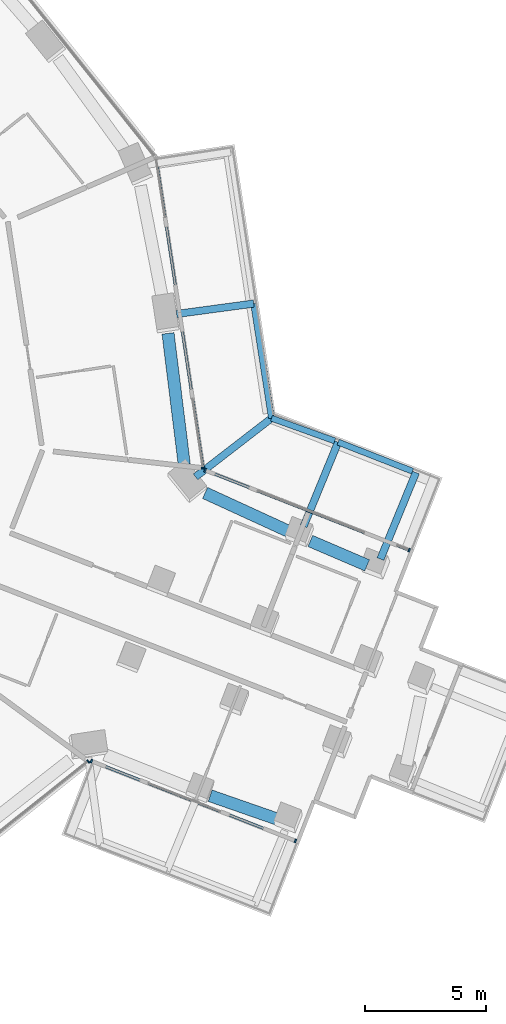
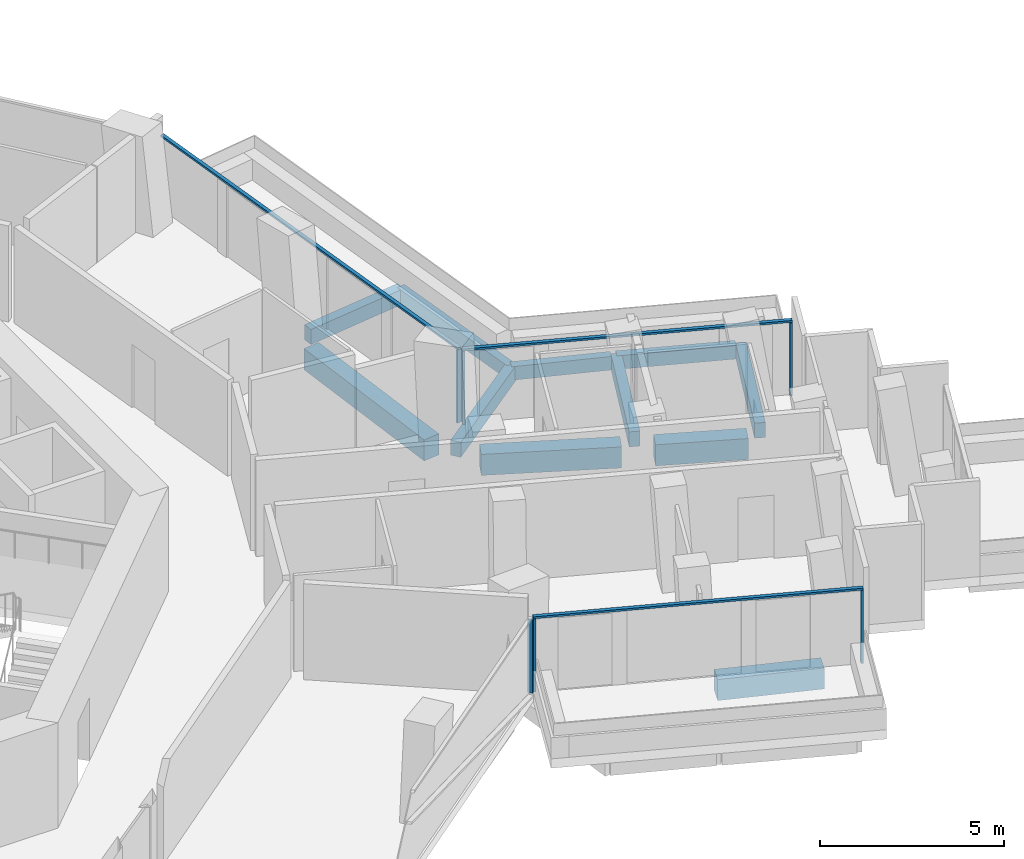
# One storey, part 6 of 28: 11 beams, 9 members, 4 elements without a shape of their own.
"""IFC4 building model written with IfcOpenShell, lengths in metres."""

from ifc_helpers import new_model, si_unit, direction, frame, origin, origin_2d, place, context, subcontext, project, spatial, rectangle, extrude, material, layer, layer_set, material_profile, profile_set, type_object, element, aggregate, save


model = new_model("IFC4")

# Units and contexts
model_context = context("Model", 3, precision=1e-05, world=origin(), true_north=direction((0.0, 1.0)))
body_context = subcontext(model_context, "Body", "Model", "MODEL_VIEW")
ifc_project = project(units=[si_unit("LENGTHUNIT", "METRE"), si_unit("AREAUNIT", "SQUARE_METRE"), si_unit("VOLUMEUNIT", "CUBIC_METRE"), si_unit("PLANEANGLEUNIT", "RADIAN"), si_unit("MASSUNIT", "GRAM", prefix="KILO")], contexts=[model_context])

# Site, building, storey
site_placement = place(None, origin())
site = spatial("IfcSite", under=ifc_project, at=site_placement, CompositionType="ELEMENT")
building_placement = place(site_placement, origin())
building = spatial("IfcBuilding", under=site, at=building_placement, Name="Verdalira Terraces Hotel", CompositionType="ELEMENT")
storey_placement = place(building_placement, frame((0.0, 0.0, 68.0)))
storey = spatial("IfcBuildingStorey", under=building, at=storey_placement, Name="L15", CompositionType="ELEMENT", Elevation=68.0)

# Beams
ifc_material_1 = material(Name="Concrete C40", Category="concrete")
ifc_material_profile_1 = material_profile(ifc_material_1, rectangle(XDim=0.300049, YDim=0.5, at=origin_2d()), Name="RC 300X500")
ifc_profile_set_1 = profile_set([ifc_material_profile_1], Name="Concrete C40")
beam_type_1 = type_object("IfcBeamType", Name="Balcony cantilever beam RC 300X500 C40", PredefinedType="BEAM", material=ifc_profile_set_1)
beam_1_placement = place(storey_placement, frame((32.180908, -6.517578, -0.560059), z_axis=(0.379795771, 0.925070361, 0.0), x_axis=(-0.925070361, 0.379795771, 0.0)))
element("IfcBeam", 1, at=beam_1_placement, inside=storey, type_object=beam_type_1, Name="Balcony cantilever beam R38-1", PredefinedType="BEAM", context=body_context, shape_type="SweptSolid", body=[
    extrude(rectangle(XDim=0.300049, YDim=0.5, at=origin_2d()), origin(), (0.0, 0.0, 1.0), 3.849121),
])
beam_2_placement = place(storey_placement, frame((29.019531, -5.167969, -0.560059), z_axis=(0.379785333, 0.925074646, 0.0), x_axis=(-0.925074646, 0.379785333, 0.0)))
element("IfcBeam", 2, at=beam_2_placement, inside=storey, type_object=beam_type_1, Name="Balcony cantilever beam R38-2", PredefinedType="BEAM", context=body_context, shape_type="SweptSolid", body=[
    extrude(rectangle(XDim=0.300049, YDim=0.5, at=origin_2d()), origin(), (0.0, 0.0, 1.0), 3.743896),
])
beam_3_placement = place(storey_placement, frame((24.570801, -3.134033, -0.560059), z_axis=(0.791427702, 0.611262786, 0.0), x_axis=(-0.611262786, 0.791427702, 0.0)))
element("IfcBeam", 3, at=beam_3_placement, inside=storey, type_object=beam_type_1, Name="Balcony cantilever beam R38-3", PredefinedType="BEAM", context=body_context, shape_type="SweptSolid", body=[
    extrude(rectangle(XDim=0.300049, YDim=0.5, at=origin_2d()), origin(), (0.0, 0.0, 1.0), 3.950195),
])
beam_4_placement = place(storey_placement, frame((23.791504, 3.572021, -0.560059), z_axis=(0.991029602, 0.133642539, 0.0), x_axis=(-0.133642539, 0.991029602, 0.0)))
element("IfcBeam", 4, at=beam_4_placement, inside=storey, type_object=beam_type_1, Name="Balcony cantilever beam R38-4", PredefinedType="BEAM", context=body_context, shape_type="SweptSolid", body=[
    extrude(rectangle(XDim=0.300049, YDim=0.5, at=origin_2d()), origin(), (0.0, 0.0, 1.0), 3.200684),
])
ifc_material_2 = material(Name="Concrete C40", Category="concrete")
ifc_material_profile_2 = material_profile(ifc_material_2, rectangle(XDim=0.25, YDim=0.449951, at=origin_2d()), Name="RC 250X450")
ifc_profile_set_2 = profile_set([ifc_material_profile_2], Name="Concrete C40")
beam_type_2 = type_object("IfcBeamType", Name="Balcony edge beam RC 250X450 C40", PredefinedType="BEAM", material=ifc_profile_set_2)
beam_5_placement = place(storey_placement, frame((33.503174, -2.9021, -0.534912), z_axis=(-0.931301932, 0.364248144, 0.0), x_axis=(-0.364248144, -0.931301932, 0.0)))
element("IfcBeam", 5, at=beam_5_placement, inside=storey, type_object=beam_type_2, Name="Balcony edge beam R38-1", PredefinedType="BEAM", context=body_context, shape_type="SweptSolid", body=[
    extrude(rectangle(XDim=0.25, YDim=0.449951, at=origin_2d()), origin(), (0.0, 0.0, 1.0), 3.287598),
])
beam_6_placement = place(storey_placement, frame((30.300049, -1.653809, -0.534912), z_axis=(-0.941205467, 0.337834677, 0.0), x_axis=(-0.337834677, -0.941205467, 0.0)))
element("IfcBeam", 6, at=beam_6_placement, inside=storey, type_object=beam_type_2, Name="Balcony edge beam R38-2", PredefinedType="BEAM", context=body_context, shape_type="SweptSolid", body=[
    extrude(rectangle(XDim=0.25, YDim=0.449951, at=origin_2d()), origin(), (0.0, 0.0, 1.0), 2.765625),
])
beam_7_placement = place(storey_placement, frame((27.697021, -0.719482, -0.534912), z_axis=(-0.153612729, 0.98813113, 0.0), x_axis=(-0.98813113, -0.153612729, 0.0)))
element("IfcBeam", 7, at=beam_7_placement, inside=storey, type_object=beam_type_2, Name="Balcony edge beam R38-3", PredefinedType="BEAM", context=body_context, shape_type="SweptSolid", body=[
    extrude(rectangle(XDim=0.25, YDim=0.449951, at=origin_2d()), origin(), (0.0, 0.0, 1.0), 4.775879),
])

# Curtain wall, member
ifc_material_3 = material(Name="Clear glass", Category="glass")
ifc_layer_1 = layer(ifc_material_3, 0.14990234375)
ifc_layer_set_1 = layer_set([ifc_layer_1], Name="CW1 curtain wall")
curtain_wall_type_1 = type_object("IfcCurtainWallType", Name="CW1 curtain wall", PredefinedType="NOTDEFINED", material=ifc_layer_set_1)
curtain_wall_1_placement = place(storey_placement, origin())
curtain_wall_1 = element("IfcCurtainWall", 8, at=curtain_wall_1_placement, inside=storey, type_object=curtain_wall_type_1, Name="CW1 curtain wall L15 edge 27", PredefinedType="NOTDEFINED")
ifc_material_4 = material(Name="Terracotta frame", Category="masonry")
ifc_material_profile_3 = material_profile(ifc_material_4, rectangle(XDim=0.060059, YDim=0.149902, at=origin_2d()), Name="MU 60x150")
ifc_profile_set_3 = profile_set([ifc_material_profile_3], Name="Terracotta frame")
member_type_1 = type_object("IfcMemberType", Name="CW1 mullion 60x150", PredefinedType="MULLION", material=ifc_profile_set_3)
member_1_placement = place(storey_placement, frame((20.154297, -14.849121, 0.0), z_axis=(0.0, 0.0, 1.0), x_axis=(0.781084732, 0.624425049, 0.0)))
member_1 = element("IfcMember", 9, at=member_1_placement, type_object=member_type_1, Name="CW1 mullion", PredefinedType="MULLION", context=body_context, shape_type="SweptSolid", body=[
    extrude(rectangle(XDim=0.060059, YDim=0.149902, at=origin_2d()), origin(), (0.0, 0.0, 1.0), 2.425049),
])
aggregate(curtain_wall_1, [member_1])

# Curtain wall, members
curtain_wall_2_placement = place(storey_placement, origin())
curtain_wall_2 = element("IfcCurtainWall", 10, at=curtain_wall_2_placement, inside=storey, type_object=curtain_wall_type_1, Name="CW1 curtain wall L15 edge 39", PredefinedType="NOTDEFINED")
member_2_placement = place(storey_placement, frame((24.880859, -2.763672, 0.0), z_axis=(0.0, 0.0, 1.0), x_axis=(-0.150225589, 0.988651745, 0.0)))
member_2 = element("IfcMember", 11, at=member_2_placement, type_object=member_type_1, Name="CW1 mullion", PredefinedType="MULLION", context=body_context, shape_type="SweptSolid", body=[
    extrude(rectangle(XDim=0.060059, YDim=0.149902, at=origin_2d()), origin(), (0.0, 0.0, 1.0), 2.425049),
])
ifc_material_5 = material(Name="Terracotta frame", Category="masonry")
ifc_material_profile_4 = material_profile(ifc_material_5, rectangle(XDim=0.110107, YDim=0.064941, at=origin_2d()), Name="TR 65x110")
ifc_profile_set_4 = profile_set([ifc_material_profile_4], Name="Terracotta frame")
member_type_2 = type_object("IfcMemberType", Name="CW1 transom 65x110", PredefinedType="USERDEFINED", material=ifc_profile_set_4)
member_3_placement = place(storey_placement, frame((24.885254, -2.793213, 2.45752), z_axis=(-0.150216647, 0.988653103, 0.0), x_axis=(-0.988653103, -0.150216647, 0.0)))
member_3 = element("IfcMember", 12, at=member_3_placement, type_object=member_type_2, Name="CW1 transom", ObjectType="TRANSOM", PredefinedType="USERDEFINED", context=body_context, shape_type="SweptSolid", body=[
    extrude(rectangle(XDim=0.110107, YDim=0.064941, at=origin_2d()), origin(), (0.0, 0.0, 1.0), 12.959717),
])
aggregate(curtain_wall_2, [member_2, member_3])

ifc_material_6 = material(Name="Clear glass", Category="glass")
ifc_layer_2 = layer(ifc_material_6, 0.14990234375)
ifc_layer_set_2 = layer_set([ifc_layer_2], Name="CW2 curtain wall")
curtain_wall_type_2 = type_object("IfcCurtainWallType", Name="CW2 curtain wall", PredefinedType="NOTDEFINED", material=ifc_layer_set_2)
curtain_wall_3_placement = place(storey_placement, origin())
curtain_wall_3 = element("IfcCurtainWall", 13, at=curtain_wall_3_placement, inside=storey, type_object=curtain_wall_type_2, Name="CW2 curtain wall L15 edge 28", PredefinedType="NOTDEFINED")
ifc_material_7 = material(Name="Terracotta frame", Category="masonry")
ifc_material_profile_5 = material_profile(ifc_material_7, rectangle(XDim=0.070068, YDim=0.149902, at=origin_2d()), Name="MU 70x150")
ifc_profile_set_5 = profile_set([ifc_material_profile_5], Name="Terracotta frame")
member_type_3 = type_object("IfcMemberType", Name="CW2 mullion 70x150", PredefinedType="MULLION", material=ifc_profile_set_5)
member_4_placement = place(storey_placement, frame((20.284424, -14.832031, 0.0), z_axis=(0.0, 0.0, 1.0), x_axis=(0.931310321, -0.364226696, 0.0)))
member_4 = element("IfcMember", 14, at=member_4_placement, type_object=member_type_3, Name="CW2 mullion", PredefinedType="MULLION", context=body_context, shape_type="SweptSolid", body=[
    extrude(rectangle(XDim=0.070068, YDim=0.149902, at=origin_2d()), origin(), (0.0, 0.0, 1.0), 2.425049),
])
member_5_placement = place(storey_placement, frame((28.682861, -18.116455, 0.0), z_axis=(0.0, 0.0, 1.0), x_axis=(0.931310321, -0.364226696, 0.0)))
member_5 = element("IfcMember", 15, at=member_5_placement, type_object=member_type_3, Name="CW2 mullion", PredefinedType="MULLION", context=body_context, shape_type="SweptSolid", body=[
    extrude(rectangle(XDim=0.070068, YDim=0.149902, at=origin_2d()), origin(), (0.0, 0.0, 1.0), 2.425049),
])

curtain_wall_4_placement = place(storey_placement, origin())
curtain_wall_4 = element("IfcCurtainWall", 16, at=curtain_wall_4_placement, inside=storey, type_object=curtain_wall_type_2, Name="CW2 curtain wall L15 edge 38", PredefinedType="NOTDEFINED")
member_6_placement = place(storey_placement, frame((33.363281, -6.14917, 0.0), z_axis=(0.0, 0.0, 1.0), x_axis=(-0.931310321, 0.364226696, 0.0)))
member_6 = element("IfcMember", 17, at=member_6_placement, type_object=member_type_3, Name="CW2 mullion", PredefinedType="MULLION", context=body_context, shape_type="SweptSolid", body=[
    extrude(rectangle(XDim=0.070068, YDim=0.149902, at=origin_2d()), origin(), (0.0, 0.0, 1.0), 2.425049),
])
member_7_placement = place(storey_placement, frame((24.964844, -2.864502, 0.0), z_axis=(0.0, 0.0, 1.0), x_axis=(-0.931310321, 0.364226696, 0.0)))
member_7 = element("IfcMember", 18, at=member_7_placement, type_object=member_type_3, Name="CW2 mullion", PredefinedType="MULLION", context=body_context, shape_type="SweptSolid", body=[
    extrude(rectangle(XDim=0.070068, YDim=0.149902, at=origin_2d()), origin(), (0.0, 0.0, 1.0), 2.425049),
])

# Member
ifc_material_8 = material(Name="Terracotta frame", Category="masonry")
ifc_material_profile_6 = material_profile(ifc_material_8, rectangle(XDim=0.11499, YDim=0.064941, at=origin_2d()), Name="TR 65x115")
ifc_profile_set_6 = profile_set([ifc_material_profile_6], Name="Terracotta frame")
member_type_4 = type_object("IfcMemberType", Name="CW2 transom 65x115", PredefinedType="USERDEFINED", material=ifc_profile_set_6)
member_8_placement = place(storey_placement, frame((20.251953, -14.819092, 2.45752), z_axis=(0.931309749, -0.364228159, 0.0), x_axis=(0.364228159, 0.931309749, 0.0)))
member_8 = element("IfcMember", 19, at=member_8_placement, type_object=member_type_4, Name="CW2 transom", ObjectType="TRANSOM", PredefinedType="USERDEFINED", context=body_context, shape_type="SweptSolid", body=[
    extrude(rectangle(XDim=0.11499, YDim=0.064941, at=origin_2d()), origin(), (0.0, 0.0, 1.0), 9.087891),
])

aggregate(curtain_wall_3, [member_4, member_5, member_8])

member_9_placement = place(storey_placement, frame((33.395752, -6.161865, 2.45752), z_axis=(-0.931309749, 0.364228159, 0.0), x_axis=(-0.364228159, -0.931309749, 0.0)))
member_9 = element("IfcMember", 20, at=member_9_placement, type_object=member_type_4, Name="CW2 transom", ObjectType="TRANSOM", PredefinedType="USERDEFINED", context=body_context, shape_type="SweptSolid", body=[
    extrude(rectangle(XDim=0.11499, YDim=0.064941, at=origin_2d()), origin(), (0.0, 0.0, 1.0), 9.087891),
])

aggregate(curtain_wall_4, [member_6, member_7, member_9])

# Beams
ifc_material_9 = material(Name="Concrete C70", Category="concrete")
ifc_material_profile_7 = material_profile(ifc_material_9, rectangle(XDim=0.5, YDim=0.699951, at=origin_2d()), Name="RC 500X700")
ifc_profile_set_7 = profile_set([ifc_material_profile_7], Name="Concrete C70")
beam_type_3 = type_object("IfcBeamType", Name="Spandrel beam RC 500X700 C70", PredefinedType="SPANDREL", material=ifc_profile_set_7)
beam_8_placement = place(storey_placement, frame((25.171875, -16.259033, -0.659912), z_axis=(0.944395353, -0.328812131, 0.0), x_axis=(0.328812131, 0.944395353, 0.0)))
element("IfcBeam", 21, at=beam_8_placement, inside=storey, type_object=beam_type_3, Name="Spandrel beam B26", PredefinedType="SPANDREL", context=body_context, shape_type="SweptSolid", body=[
    extrude(rectangle(XDim=0.5, YDim=0.699951, at=origin_2d()), origin(), (0.0, 0.0, 1.0), 2.955811),
])
beam_9_placement = place(storey_placement, frame((31.633301, -6.775879, -0.659912), z_axis=(-0.91905566, 0.394127764, 0.0), x_axis=(-0.394127764, -0.91905566, 0.0)))
element("IfcBeam", 22, at=beam_9_placement, inside=storey, type_object=beam_type_3, Name="Spandrel beam B28", PredefinedType="SPANDREL", context=body_context, shape_type="SweptSolid", body=[
    extrude(rectangle(XDim=0.5, YDim=0.699951, at=origin_2d()), origin(), (0.0, 0.0, 1.0), 2.543945),
])
beam_10_placement = place(storey_placement, frame((28.452393, -5.398926, -0.659912), z_axis=(-0.908722458, 0.41740088, 0.0), x_axis=(-0.41740088, -0.908722458, 0.0)))
element("IfcBeam", 23, at=beam_10_placement, inside=storey, type_object=beam_type_3, Name="Spandrel beam B29", PredefinedType="SPANDREL", context=body_context, shape_type="SweptSolid", body=[
    extrude(rectangle(XDim=0.5, YDim=0.699951, at=origin_2d()), origin(), (0.0, 0.0, 1.0), 3.841064),
])
beam_11_placement = place(storey_placement, frame((24.106445, -2.624512, -0.659912), z_axis=(-0.122946316, 0.992413323, 0.0), x_axis=(-0.992413323, -0.122946316, 0.0)))
element("IfcBeam", 24, at=beam_11_placement, inside=storey, type_object=beam_type_3, Name="Spandrel beam B30", PredefinedType="SPANDREL", context=body_context, shape_type="SweptSolid", body=[
    extrude(rectangle(XDim=0.5, YDim=0.699951, at=origin_2d()), origin(), (0.0, 0.0, 1.0), 5.438965),
])

save(model, "model.ifc")
